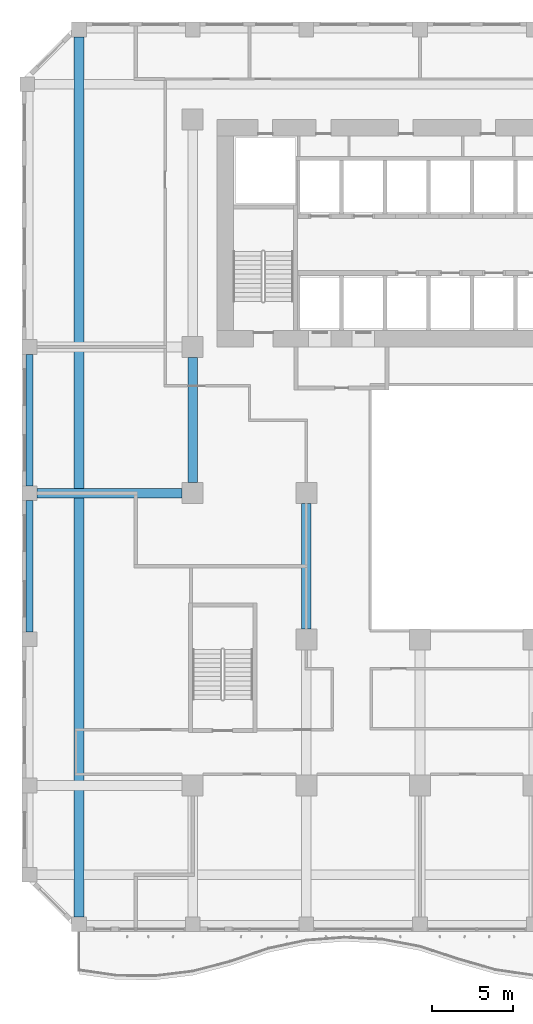
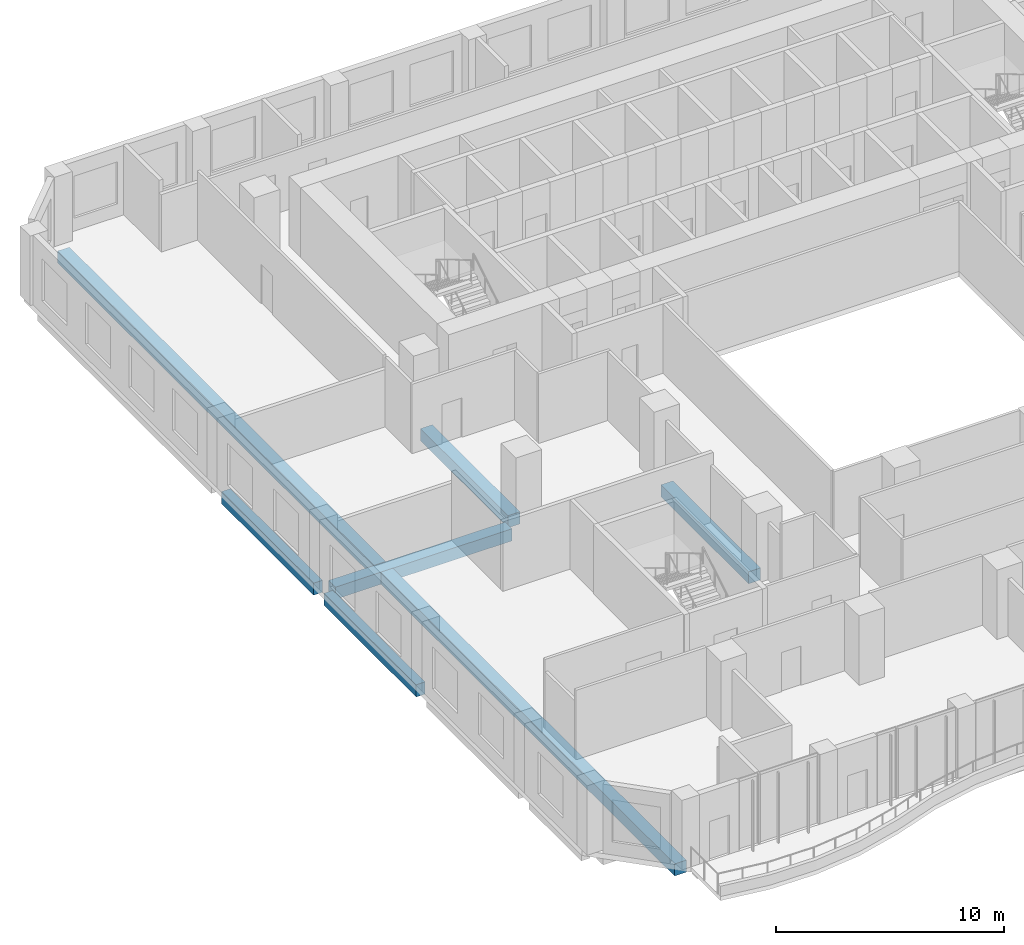
# One storey, part 5 of 27: 6 beams.
"""IFC4 building model written with IfcOpenShell, lengths in metres."""

from ifc_helpers import new_model, si_unit, direction, frame, origin, origin_2d, place, context, subcontext, project, spatial, rectangle, extrude, source, transform, mapped, material, material_profile, profile_set, type_object, element, save


model = new_model("IFC4")

# Units and contexts
model_context = context("Model", 3, precision=1e-05, world=origin(), true_north=direction((0.0, 1.0)))
body_context = subcontext(model_context, "Body", "Model", "MODEL_VIEW")
ifc_project = project(units=[si_unit("LENGTHUNIT", "METRE"), si_unit("AREAUNIT", "SQUARE_METRE"), si_unit("VOLUMEUNIT", "CUBIC_METRE"), si_unit("PLANEANGLEUNIT", "RADIAN"), si_unit("MASSUNIT", "GRAM", prefix="KILO")], contexts=[model_context])

# Site, building, storey
site_placement = place(None, origin())
site = spatial("IfcSite", under=ifc_project, at=site_placement, CompositionType="ELEMENT")
building_placement = place(site_placement, origin())
building = spatial("IfcBuilding", under=site, at=building_placement, Name="Kilnfold Tower and Market Hall", CompositionType="ELEMENT")
storey_placement = place(building_placement, frame((0.0, 0.0, 51.0)))
storey = spatial("IfcBuildingStorey", under=building, at=storey_placement, Name="L11", CompositionType="ELEMENT", Elevation=51.0)

# Beams
ifc_material_1 = material(Name="Concrete C45", Category="concrete")
ifc_material_profile_1 = material_profile(ifc_material_1, rectangle(XDim=0.60009765625, YDim=0.64990234375, at=origin_2d()), Name="RC 600x650")
ifc_profile_set_1 = profile_set([ifc_material_profile_1], Name="Concrete C45")
beam_type_1 = type_object("IfcBeamType", Name="BEAM 600X650 C45", PredefinedType="BEAM", material=ifc_profile_set_1)
shared_shape_1 = source(origin(), body_context, "Body", "SweptSolid", [
    extrude(rectangle(XDim=0.60009765625, YDim=0.64990234375, at=origin_2d()), origin(), (0.0, 0.0, 1.0), 8.9501953125),
])
beam_1_placement = place(storey_placement, frame((-27.10009765625, -1.0, -0.60498046875), z_axis=(1.0, 0.0, 0.0), x_axis=(0.0, 1.0, 0.0)))
element("IfcBeam", 1, at=beam_1_placement, inside=storey, type_object=beam_type_1, Name="Beam BB650-B1.16", PredefinedType="BEAM", context=body_context, shape_type="MappedRepresentation", body=[
    mapped(shared_shape_1, transform((0.0, 0.0, 0.0))),
])
ifc_material_2 = material(Name="Concrete C45", Category="concrete")
ifc_material_profile_2 = material_profile(ifc_material_2, rectangle(XDim=0.449951171875, YDim=0.64990234375, at=origin_2d()), Name="RC 450x650")
ifc_profile_set_2 = profile_set([ifc_material_profile_2], Name="Concrete C45")
beam_type_2 = type_object("IfcBeamType", Name="EDGE BEAM 450X650 C45", PredefinedType="BEAM", material=ifc_profile_set_2)
shared_shape_2 = source(origin(), body_context, "Body", "SweptSolid", [
    extrude(rectangle(XDim=0.449951171875, YDim=0.64990234375, at=origin_2d()), origin(), (0.0, 0.0, 1.0), 8.10009765625),
])
for number, where, z_axis, x_axis, name in (
    (2, (-27.550048828125, -9.550048828125, -0.60498046875), (0.0, 1.0, 0.0), (-1.0, 0.0, 0.0), "Beam EB650-B1.32"),
    (3, (-27.550048828125, -0.550048828125, -0.60498046875), (0.0, 1.0, 0.0), (-1.0, 0.0, 0.0), "Beam EB650-B1.33"),
):
    element("IfcBeam", number, at=place(storey_placement, frame(where, z_axis=z_axis, x_axis=x_axis)), inside=storey, type_object=beam_type_2, Name=name, PredefinedType="BEAM", context=body_context, shape_type="MappedRepresentation", body=[
        mapped(shared_shape_2, transform((0.0, 0.0, 0.0))),
    ])
shared_shape_3 = source(origin(), body_context, "Body", "SweptSolid", [
    extrude(rectangle(XDim=0.60009765625, YDim=0.64990234375, at=origin_2d()), origin(), (0.0, 0.0, 1.0), 54.2001953125),
])
beam_2_placement = place(storey_placement, frame((-24.5, -27.10009765625, -0.60498046875), z_axis=(0.0, 1.0, 0.0), x_axis=(-1.0, 0.0, 0.0)))
element("IfcBeam", 4, at=beam_2_placement, inside=storey, type_object=beam_type_1, Name="Beam BB650-B1.35", PredefinedType="BEAM", context=body_context, shape_type="MappedRepresentation", body=[
    mapped(shared_shape_3, transform((0.0, 0.0, 0.0))),
])
shared_shape_4 = source(origin(), body_context, "Body", "SweptSolid", [
    extrude(rectangle(XDim=0.60009765625, YDim=0.64990234375, at=origin_2d()), origin(), (0.0, 0.0, 1.0), 7.7001953125),
])
for number, where, z_axis, x_axis, name in (
    (5, (-17.5, -0.35009765625, -0.60498046875), (0.0, 1.0, 0.0), (-1.0, 0.0, 0.0), "Beam BB650-B1.37"),
    (6, (-10.5, -9.35009765625, -0.60498046875), (0.0, 1.0, 0.0), (-1.0, 0.0, 0.0), "Beam BB650-B1.42"),
):
    element("IfcBeam", number, at=place(storey_placement, frame(where, z_axis=z_axis, x_axis=x_axis)), inside=storey, type_object=beam_type_1, Name=name, PredefinedType="BEAM", context=body_context, shape_type="MappedRepresentation", body=[
        mapped(shared_shape_4, transform((0.0, 0.0, 0.0))),
    ])

save(model, "model.ifc")
